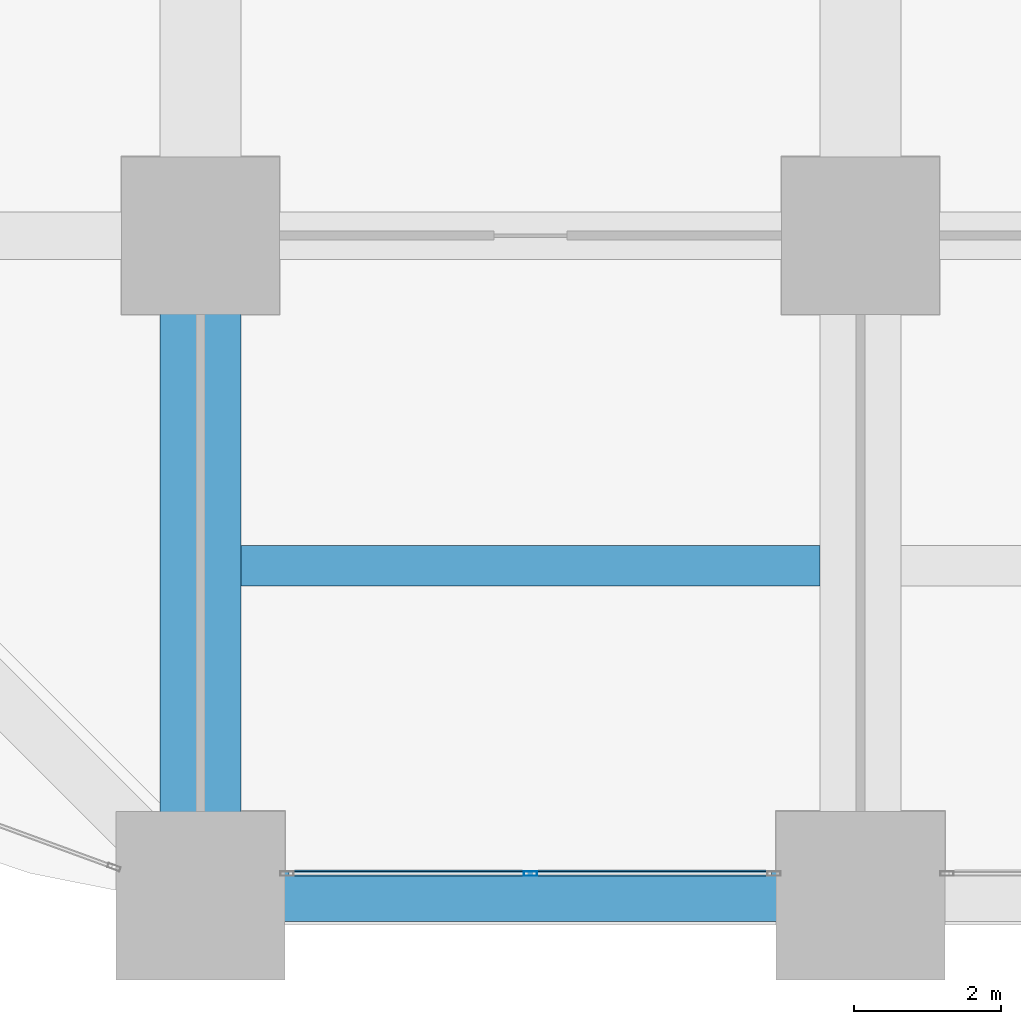
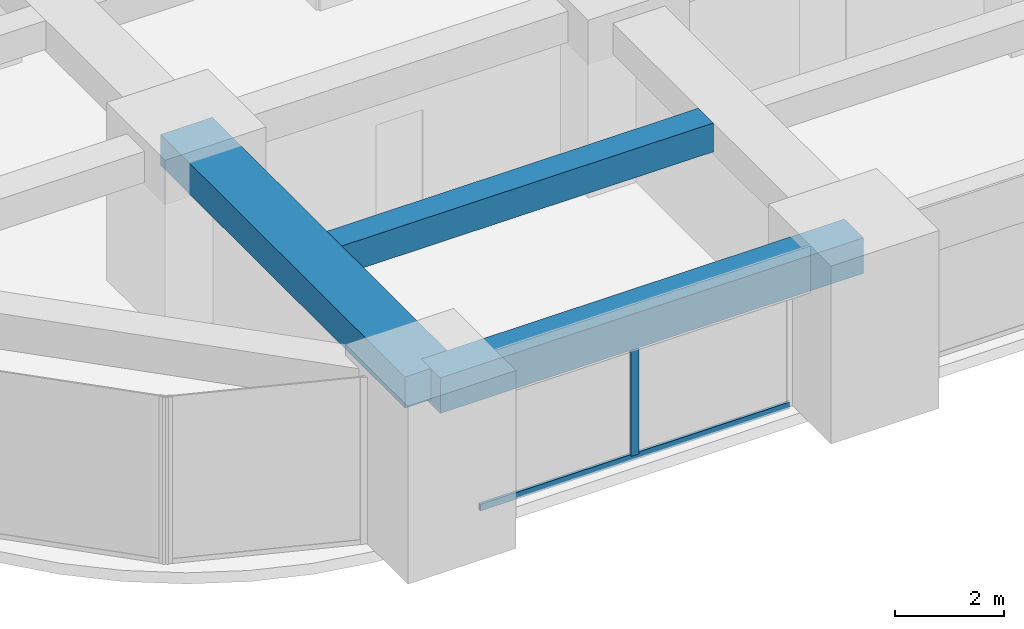
# One storey, part 3 of 44: 3 beams, 2 members, 1 element without a shape of its own.
"""IFC4 building model written with IfcOpenShell, lengths in metres."""

from ifc_helpers import new_model, si_unit, direction, frame, origin, origin_2d, place, context, subcontext, project, spatial, rectangle, hollow_rectangle, extrude, material, material_profile, profile_set, type_object, element, aggregate, save


model = new_model("IFC4")

# Units and contexts
model_context = context("Model", 3, precision=1e-05, world=origin(), true_north=direction((0.0, 1.0)))
body_context = subcontext(model_context, "Body", "Model", "MODEL_VIEW")
ifc_project = project(units=[si_unit("LENGTHUNIT", "METRE"), si_unit("AREAUNIT", "SQUARE_METRE"), si_unit("VOLUMEUNIT", "CUBIC_METRE"), si_unit("PLANEANGLEUNIT", "RADIAN"), si_unit("MASSUNIT", "GRAM", prefix="KILO")], contexts=[model_context])

# Site, building, storey
site_placement = place(None, origin())
site = spatial("IfcSite", under=ifc_project, at=site_placement, CompositionType="ELEMENT")
building_placement = place(site_placement, origin())
building = spatial("IfcBuilding", under=site, at=building_placement, Name="Zorevar Civic Tower", CompositionType="ELEMENT")
storey_placement = place(building_placement, frame((0.0, 0.0, 51.800048828125)))
storey = spatial("IfcBuildingStorey", under=building, at=storey_placement, Name="L12", CompositionType="ELEMENT", Elevation=51.800048828125)

# Beams
ifc_material_1 = material(Name="Concrete C50/60", Category="concrete")
ifc_material_profile_1 = material_profile(ifc_material_1, rectangle(XDim=1.10009765625, YDim=0.699951171875, at=origin_2d()), Name="RC 1100x700")
ifc_profile_set_1 = profile_set([ifc_material_profile_1], Name="Concrete C50/60")
beam_type_1 = type_object("IfcBeamType", Name="Beam RC 1100x700", PredefinedType="BEAM", material=ifc_profile_set_1)
beam_1_placement = place(storey_placement, frame((9.0, 0.0, 3.39990234375), z_axis=(0.0, 1.0, 0.0), x_axis=(-1.0, 0.0, 0.0)))
element("IfcBeam", 1, at=beam_1_placement, inside=storey, type_object=beam_type_1, Name="Girder L13", PredefinedType="BEAM", context=body_context, shape_type="SweptSolid", body=[
    extrude(rectangle(XDim=1.10009765625, YDim=0.699951171875, at=origin_2d()), origin(), (0.0, 0.0, 1.0), 9.0),
])
ifc_material_2 = material(Name="Concrete C50/60", Category="concrete")
ifc_material_profile_2 = material_profile(ifc_material_2, rectangle(XDim=0.550048828125, YDim=0.64990234375, at=origin_2d()), Name="RC 550x650")
ifc_profile_set_2 = profile_set([ifc_material_profile_2], Name="Concrete C50/60")
beam_type_2 = type_object("IfcBeamType", Name="Beam RC 550x650", PredefinedType="BEAM", material=ifc_profile_set_2)
beam_2_placement = place(storey_placement, frame((9.550048828125, 4.5, 3.425048828125), z_axis=(1.0, 0.0, 0.0), x_axis=(0.0, 1.0, 0.0)))
element("IfcBeam", 2, at=beam_2_placement, inside=storey, type_object=beam_type_2, Name="Secondary beam L13", PredefinedType="BEAM", context=body_context, shape_type="SweptSolid", body=[
    extrude(rectangle(XDim=0.550048828125, YDim=0.64990234375, at=origin_2d()), origin(), (0.0, 0.0, 1.0), 7.89990234375),
])

# Curtain wall, members
ifc_material_3 = material(Name="Dark grey solar-control glass in black aluminium frame", Category="aluminium")
curtain_wall_type = type_object("IfcCurtainWallType", Name="Curtain wall CW2 low zone", PredefinedType="NOTDEFINED", material=ifc_material_3)
curtain_wall_placement = place(storey_placement, origin())
curtain_wall = element("IfcCurtainWall", 3, at=curtain_wall_placement, inside=storey, type_object=curtain_wall_type, Name="CW2 L12", PredefinedType="NOTDEFINED")
ifc_material_4 = material(Name="Aluminium, black anodised", Category="aluminium")
ifc_material_profile_3 = material_profile(ifc_material_4, hollow_rectangle(XDim=0.06005859375, YDim=0.179931640625, WallThickness=0.00390625, at=origin_2d()), Name="AL 180x60x4")
ifc_profile_set_3 = profile_set([ifc_material_profile_3], Name="Aluminium, black anodised")
member_type_1 = type_object("IfcMemberType", Name="CW2 mullion AL 180x60x4", PredefinedType="MULLION", material=ifc_profile_set_3)
member_1_placement = place(storey_placement, frame((13.5, 0.300048828125, 0.06005859375), z_axis=(0.0, 0.0, 1.0), x_axis=(0.0, 1.0, 0.0)))
member_1 = element("IfcMember", 4, at=member_1_placement, type_object=member_type_1, Name="CW2 mullion 2", PredefinedType="MULLION", context=body_context, shape_type="SweptSolid", body=[
    extrude(hollow_rectangle(XDim=0.06005859375, YDim=0.179931640625, WallThickness=0.00390625, at=origin_2d()), origin(), (0.0, 0.0, 1.0), 2.889892578125),
])
ifc_material_5 = material(Name="Aluminium, black anodised", Category="aluminium")
ifc_material_profile_4 = material_profile(ifc_material_5, hollow_rectangle(XDim=0.06005859375, YDim=0.14990234375, WallThickness=0.00390625, at=origin_2d()), Name="AL 150x60x4")
ifc_profile_set_4 = profile_set([ifc_material_profile_4], Name="Aluminium, black anodised")
member_type_2 = type_object("IfcMemberType", Name="CW2 transom AL 150x60x4", PredefinedType="USERDEFINED", material=ifc_profile_set_4)
member_2_placement = place(storey_placement, frame((10.2099609375, 0.300048828125, 0.030029296875), z_axis=(1.0, 0.0, 0.0), x_axis=(0.0, 1.0, 0.0)))
member_2 = element("IfcMember", 5, at=member_2_placement, type_object=member_type_2, Name="CW2 sill transom", ObjectType="TRANSOM", PredefinedType="USERDEFINED", context=body_context, shape_type="SweptSolid", body=[
    extrude(hollow_rectangle(XDim=0.06005859375, YDim=0.14990234375, WallThickness=0.00390625, at=origin_2d()), origin(), (0.0, 0.0, 1.0), 6.580078125),
])
aggregate(curtain_wall, [member_1, member_2])

# Beam
ifc_material_6 = material(Name="Concrete C50/60", Category="concrete")
ifc_material_profile_5 = material_profile(ifc_material_6, rectangle(XDim=0.699951171875, YDim=0.800048828125, at=origin_2d()), Name="RC 700x800")
ifc_profile_set_5 = profile_set([ifc_material_profile_5], Name="Concrete C50/60")
beam_type_3 = type_object("IfcBeamType", Name="Edge beam RC 700x800", PredefinedType="SPANDREL", material=ifc_profile_set_5)
beam_3_placement = place(storey_placement, frame((9.0, 0.0, 3.349853515625), z_axis=(1.0, 0.0, 0.0), x_axis=(0.0, 1.0, 0.0)))
element("IfcBeam", 6, at=beam_3_placement, inside=storey, type_object=beam_type_3, Name="Edge beam L13", PredefinedType="SPANDREL", context=body_context, shape_type="SweptSolid", body=[
    extrude(rectangle(XDim=0.699951171875, YDim=0.800048828125, at=origin_2d()), origin(), (0.0, 0.0, 1.0), 9.0),
])

save(model, "model.ifc")
